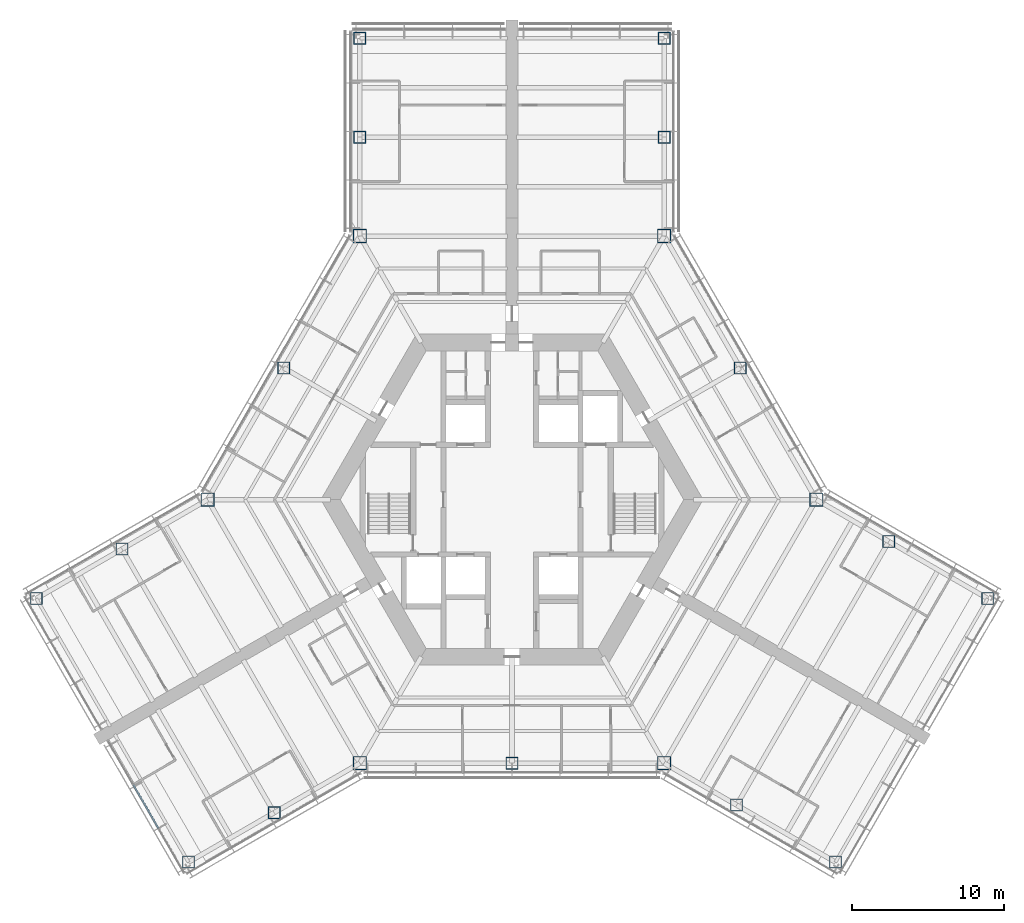
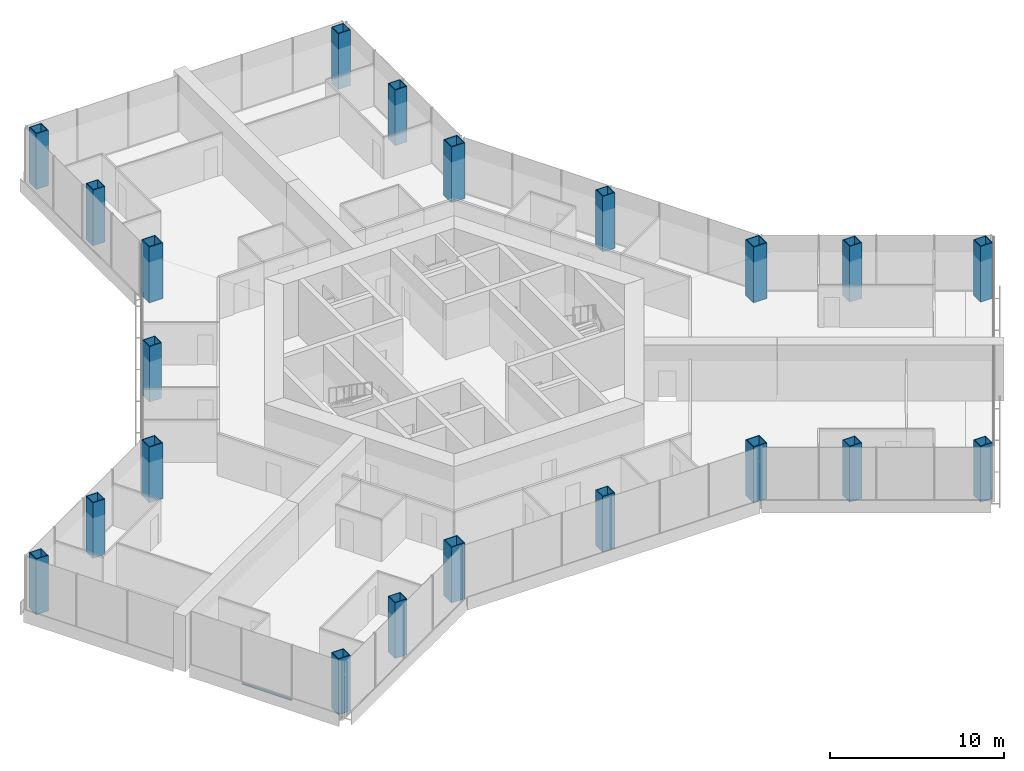
# One storey, part 1 of 18: 21 columns, 1 member, 1 element without a shape of its own.
"""IFC4 building model written with IfcOpenShell, lengths in metres."""

from ifc_helpers import new_model, si_unit, direction, frame, origin, origin_2d, place, context, subcontext, project, spatial, rectangle, hollow_rectangle, extrude, material, material_profile, profile_set, type_object, element, aggregate, save


model = new_model("IFC4")

# Units and contexts
model_context = context("Model", 3, precision=1e-05, world=origin(), true_north=direction((0.0, 1.0)))
body_context = subcontext(model_context, "Body", "Model", "MODEL_VIEW")
ifc_project = project(units=[si_unit("LENGTHUNIT", "METRE"), si_unit("AREAUNIT", "SQUARE_METRE"), si_unit("VOLUMEUNIT", "CUBIC_METRE"), si_unit("PLANEANGLEUNIT", "RADIAN"), si_unit("MASSUNIT", "GRAM", prefix="KILO")], contexts=[model_context])

# Site, building, storey
site_placement = place(None, origin())
site = spatial("IfcSite", under=ifc_project, at=site_placement, CompositionType="ELEMENT")
building_placement = place(site_placement, origin())
building = spatial("IfcBuilding", under=site, at=building_placement, Name="Kasaneha Research Tower", CompositionType="ELEMENT")
storey_placement = place(building_placement, frame((0.0, 0.0, 115.800048828125)))
storey = spatial("IfcBuildingStorey", under=building, at=storey_placement, Name="L29", CompositionType="ELEMENT", Elevation=115.800048828125)

# Columns
ifc_material_1 = material(Name="Steel SN490C", Category="steel")
ifc_material_profile_1 = material_profile(ifc_material_1, hollow_rectangle(XDim=0.89990234375, YDim=0.89990234375, WallThickness=0.054931640625, at=origin_2d()), Name="BOX-900x900x55")
ifc_profile_set_1 = profile_set([ifc_material_profile_1], Name="Steel SN490C")
column_type_1 = type_object("IfcColumnType", Name="C2A column BOX-900x900x55", PredefinedType="COLUMN", material=ifc_profile_set_1)
for number, where, z_axis, x_axis, name in (
    (1, (20.0, 0.0, 0.0), (0.0, 0.0, 1.0), (1.0, 0.0, 0.0), "Column V0 L29"),
    (2, (10.0, 17.320556640625, 0.0), (0.0, 0.0, 1.0), (1.0, 0.0, 0.0), "Column V1 L29"),
    (3, (-10.0, 17.320556640625, 0.0), (0.0, 0.0, 1.0), (1.0, 0.0, 0.0), "Column V2 L29"),
    (4, (-20.0, 0.0, 0.0), (0.0, 0.0, 1.0), (1.0, 0.0, 0.0), "Column V3 L29"),
    (5, (-10.0, -17.320556640625, 0.0), (0.0, 0.0, 1.0), (1.0, 0.0, 0.0), "Column V4 L29"),
    (6, (10.0, -17.320556640625, 0.0), (0.0, 0.0, 1.0), (1.0, 0.0, 0.0), "Column V5 L29"),
):
    element("IfcColumn", number, at=place(storey_placement, frame(where, z_axis=z_axis, x_axis=x_axis)), inside=storey, type_object=column_type_1, Name=name, PredefinedType="COLUMN", context=body_context, shape_type="SweptSolid", body=[
        extrude(hollow_rectangle(XDim=0.89990234375, YDim=0.89990234375, WallThickness=0.054931640625, at=origin_2d()), origin(), (0.0, 0.0, 1.0), 3.89990234375),
    ])
ifc_material_2 = material(Name="Steel SN490C", Category="steel")
ifc_material_profile_2 = material_profile(ifc_material_2, hollow_rectangle(XDim=0.800048828125, YDim=0.800048828125, WallThickness=0.044921875, at=origin_2d()), Name="BOX-800x800x45")
ifc_profile_set_2 = profile_set([ifc_material_profile_2], Name="Steel SN490C")
column_type_2 = type_object("IfcColumnType", Name="C2B column BOX-800x800x45", PredefinedType="COLUMN", material=ifc_profile_set_2)
for number, where, z_axis, x_axis, name in (
    (7, (15.0, 8.66015625, 0.0), (0.0, 0.0, 1.0), (1.0, 0.0, 0.0), "Column M030 L29"),
    (8, (-15.0, 8.66015625, 0.0), (0.0, 0.0, 1.0), (1.0, 0.0, 0.0), "Column M150 L29"),
    (9, (0.0, -17.320556640625, 0.0), (0.0, 0.0, 1.0), (1.0, 0.0, 0.0), "Column M270 L29"),
    (10, (10.0, 23.820556640625, 0.0), (0.0, 0.0, 1.0), (1.0, 0.0, 0.0), "Column ASP L29"),
    (11, (10.0, 30.320556640625, 0.0), (0.0, 0.0, 1.0), (1.0, 0.0, 0.0), "Column ATP L29"),
    (12, (-10.0, 23.820556640625, 0.0), (0.0, 0.0, 1.0), (1.0, 0.0, 0.0), "Column ASN L29"),
    (13, (-10.0, 30.320556640625, 0.0), (0.0, 0.0, 1.0), (1.0, 0.0, 0.0), "Column ATN L29"),
    (14, (-25.629150390625, -3.25, 0.0), (0.0, 0.0, 1.0), (1.0, 0.0, 0.0), "Column BSP L29"),
    (15, (-31.25830078125, -6.5, 0.0), (0.0, 0.0, 1.0), (1.0, 0.0, 0.0), "Column BTP L29"),
    (16, (-15.629150390625, -20.570556640625, 0.0), (0.0, 0.0, 1.0), (1.0, 0.0, 0.0), "Column BSN L29"),
    (17, (-21.25830078125, -23.820556640625, 0.0), (0.0, 0.0, 1.0), (1.0, 0.0, 0.0), "Column BTN L29"),
    (18, (14.76318359375, -20.070556640625, 0.0), (0.0, 0.0, 1.0), (1.0, 0.0, 0.0), "Column CSP L29"),
    (19, (21.25830078125, -23.820556640625, 0.0), (0.0, 0.0, 1.0), (1.0, 0.0, 0.0), "Column CTP L29"),
    (20, (24.76318359375, -2.75, 0.0), (0.0, 0.0, 1.0), (1.0, 0.0, 0.0), "Column CSN L29"),
    (21, (31.25830078125, -6.5, 0.0), (0.0, 0.0, 1.0), (1.0, 0.0, 0.0), "Column CTN L29"),
):
    element("IfcColumn", number, at=place(storey_placement, frame(where, z_axis=z_axis, x_axis=x_axis)), inside=storey, type_object=column_type_2, Name=name, PredefinedType="COLUMN", context=body_context, shape_type="SweptSolid", body=[
        extrude(hollow_rectangle(XDim=0.800048828125, YDim=0.800048828125, WallThickness=0.044921875, at=origin_2d()), origin(), (0.0, 0.0, 1.0), 3.89990234375),
    ])

# Curtain wall, member
ifc_material_3 = material(Name="Glass and aluminium", Category="aluminium")
curtain_wall_type = type_object("IfcCurtainWallType", Name="Low-rise office curtain wall", PredefinedType="USERDEFINED", material=ifc_material_3)
curtain_wall_placement = place(storey_placement, origin())
curtain_wall = element("IfcCurtainWall", 22, at=curtain_wall_placement, inside=storey, type_object=curtain_wall_type, Name="CW-O1 L29 run 15a", ObjectType="UNITISED CURTAIN WALL", PredefinedType="USERDEFINED")
ifc_material_4 = material(Name="Aluminium 6063-T6", Category="aluminium")
ifc_material_profile_3 = material_profile(ifc_material_4, rectangle(XDim=0.1201171875, YDim=0.06005859375, at=origin_2d()), Name="CW-O1 transom 120x60")
ifc_profile_set_3 = profile_set([ifc_material_profile_3], Name="Aluminium 6063-T6")
member_type = type_object("IfcMemberType", Name="CW-O1 transom", PredefinedType="USERDEFINED", material=ifc_profile_set_3)
member_placement = place(storey_placement, frame((-24.879638671875, -18.748291015625, 0.030029296875), z_axis=(0.500014325468, -0.866017132814, 0.0), x_axis=(0.866017132814, 0.500014325468, 0.0)))
member = element("IfcMember", 23, at=member_placement, type_object=member_type, Name="CW-O1 transom 2", ObjectType="TRANSOM", PredefinedType="USERDEFINED", context=body_context, shape_type="SweptSolid", body=[
    extrude(rectangle(XDim=0.1201171875, YDim=0.06005859375, at=origin_2d()), origin(), (0.0, 0.0, 1.0), 3.306640625),
])
aggregate(curtain_wall, [member])

save(model, "model.ifc")
